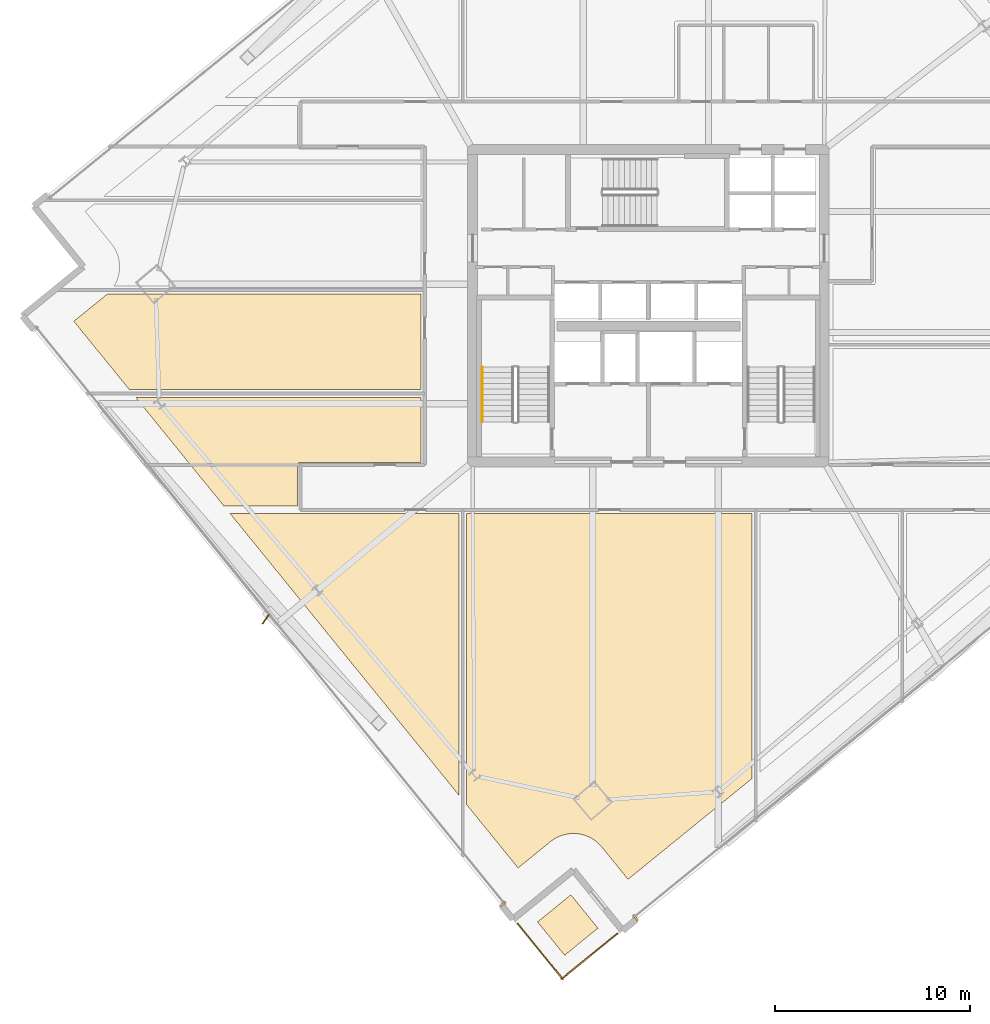
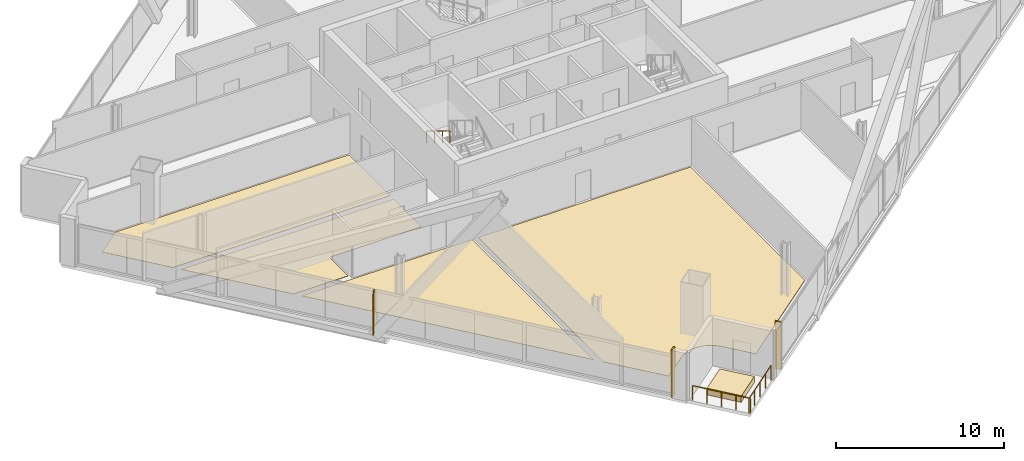
# One storey, part 32 of 36: 7 coverings, 3 railings, 1 shading device.
"""IFC4 building model written with IfcOpenShell, lengths in metres."""

from ifc_helpers import new_model, si_unit, direction, frame, origin, origin_2d, place, context, subcontext, project, spatial, polyline, rectangle, outline, extrude, source, transform, mapped, material, layer, layer_set, type_object, element, save


model = new_model("IFC4")

# Units and contexts
model_context = context("Model", 3, precision=1e-05, world=origin(), true_north=direction((0.0, 1.0)))
body_context = subcontext(model_context, "Body", "Model", "MODEL_VIEW")
ifc_project = project(units=[si_unit("LENGTHUNIT", "METRE"), si_unit("AREAUNIT", "SQUARE_METRE"), si_unit("VOLUMEUNIT", "CUBIC_METRE"), si_unit("PLANEANGLEUNIT", "RADIAN"), si_unit("MASSUNIT", "GRAM", prefix="KILO")], contexts=[model_context])

# Site, building, storey
site_placement = place(None, origin())
site = spatial("IfcSite", under=ifc_project, at=site_placement, CompositionType="ELEMENT")
building_placement = place(site_placement, origin())
building = spatial("IfcBuilding", under=site, at=building_placement, Name="Haldenkirk Collegiate Tower", CompositionType="ELEMENT")
storey_placement = place(building_placement, frame((0.0, 0.0, 159.449951171875)))
storey = spatial("IfcBuildingStorey", under=building, at=storey_placement, Name="L39", CompositionType="ELEMENT", Elevation=159.449951171875)

# Coverings
ifc_material_1 = material(Name="Polished collegiate terrazzo", Category="concrete")
ifc_layer_1 = layer(ifc_material_1, 0.02490234375)
ifc_layer_set_1 = layer_set([ifc_layer_1], Name="Polished collegiate terrazzo")
covering_type_1 = type_object("IfcCoveringType", Name="COV-FLOOR-TERRAZZO", PredefinedType="FLOORING", material=ifc_layer_set_1)
covering_1_placement = place(storey_placement, origin())
element("IfcCovering", 1, at=covering_1_placement, inside=storey, type_object=covering_type_1, Name="L39 academic room finish 02", PredefinedType="FLOORING", context=body_context, shape_type="SweptSolid", body=[
    extrude(outline(polyline([(33.055908203125, -1.249267578125), (33.04541015625, -1.24365234375), (32.890380859375, -1.16943359375), (32.879638671875, -1.164794921875), (32.71826171875, -1.106201171875), (32.70703125, -1.102783203125), (32.54052734375, -1.060302734375), (32.529052734375, -1.05810546875), (32.359375, -1.031982421875), (32.34765625, -1.03076171875), (32.17626953125, -1.021484375), (32.164306640625, -1.021484375), (31.992919921875, -1.029052734375), (31.981201171875, -1.030029296875), (31.81103515625, -1.054443359375), (31.799560546875, -1.056884765625), (31.6328125, -1.09765625), (31.621337890625, -1.10107421875), (31.45947265625, -1.158203125), (31.448486328125, -1.16259765625), (31.29296875, -1.2353515625), (31.28271484375, -1.24072265625), (31.134765625, -1.328369140625), (31.125, -1.3349609375), (30.986572265625, -1.4365234375), (30.98193359375, -1.440185546875), (29.328857421875, -2.783447265625), (26.699951171875, 0.451416015625), (26.699951171875, 15.35009765625), (41.300048828125, 15.35009765625), (41.300048828125, 1.791015625), (34.955810546875, -3.364990234375), (33.612548828125, -1.7119140625), (33.608642578125, -1.70751953125), (33.493896484375, -1.57958984375), (33.485595703125, -1.5712890625), (33.35888671875, -1.455322265625), (33.349853515625, -1.447998046875), (33.21240234375, -1.344970703125), (33.20263671875, -1.33837890625), (33.055908203125, -1.249267578125)])), origin(), (0.0, 0.0, 1.0), 0.025146484375),
])
covering_2_placement = place(storey_placement, origin())
element("IfcCovering", 2, at=covering_2_placement, inside=storey, type_object=covering_type_1, Name="L39 academic room finish 08", PredefinedType="FLOORING", context=body_context, shape_type="SweptSolid", body=[
    extrude(outline(polyline([(8.23974609375, 26.544189453125), (8.244384765625, 26.548095703125), (8.30224609375, 26.60009765625), (24.35009765625, 26.60009765625), (24.35009765625, 21.699951171875), (9.431884765625, 21.699951171875), (6.5869140625, 25.200927734375), (8.23974609375, 26.544189453125)])), origin(), (0.0, 0.0, 1.0), 0.025146484375),
])
ifc_material_2 = material(Name="Engineered collegiate oak acoustic flooring", Category="wood")
ifc_layer_2 = layer(ifc_material_2, 0.02197265625)
ifc_layer_set_2 = layer_set([ifc_layer_2], Name="Engineered collegiate oak acoustic flooring")
covering_type_2 = type_object("IfcCoveringType", Name="COV-FLOOR-TIMBER", PredefinedType="FLOORING", material=ifc_layer_set_2)
covering_3_placement = place(storey_placement, origin())
element("IfcCovering", 3, at=covering_3_placement, inside=storey, type_object=covering_type_2, Name="L39 academic room finish 01", PredefinedType="FLOORING", context=body_context, shape_type="SweptSolid", body=[
    extrude(outline(polyline([(14.59228515625, 15.35009765625), (26.300048828125, 15.35009765625), (26.300048828125, 0.943603515625), (14.59228515625, 15.35009765625)])), origin(), (0.0, 0.0, 1.0), 0.02197265625),
])
covering_4_placement = place(storey_placement, origin())
element("IfcCovering", 4, at=covering_4_placement, inside=storey, type_object=covering_type_2, Name="L39 academic room finish 07", PredefinedType="FLOORING", context=body_context, shape_type="SweptSolid", body=[
    extrude(outline(polyline([(18.14990234375, 17.969970703125), (18.13818359375, 17.969482421875), (18.126708984375, 17.9677734375), (18.115234375, 17.96484375), (18.10400390625, 17.9609375), (18.093505859375, 17.955810546875), (18.083251953125, 17.94970703125), (18.073974609375, 17.94287109375), (18.065185546875, 17.934814453125), (18.05712890625, 17.926025390625), (18.05029296875, 17.916748046875), (18.044189453125, 17.906494140625), (18.0390625, 17.89599609375), (18.03515625, 17.884765625), (18.0322265625, 17.873291015625), (18.030517578125, 17.86181640625), (18.030029296875, 17.85009765625), (18.030029296875, 15.75), (14.267333984375, 15.75), (9.757080078125, 21.300048828125), (24.35009765625, 21.300048828125), (24.35009765625, 17.969970703125), (18.14990234375, 17.969970703125)])), origin(), (0.0, 0.0, 1.0), 0.02197265625),
])
ifc_material_3 = material(Name="Precast concrete f'c 40 MPa", Category="concrete")
ifc_layer_3 = layer(ifc_material_3, 0.449951171875)
ifc_layer_set_3 = layer_set([ifc_layer_3], Name="Precast concrete f'c 40 MPa")
covering_type_3 = type_object("IfcCoveringType", Name="COV-PLANTER-450", PredefinedType="USERDEFINED", material=ifc_layer_set_3)
covering_5_placement = place(storey_placement, origin())
element("IfcCovering", 5, at=covering_5_placement, inside=storey, type_object=covering_type_3, Name="L39 planted garden planter bed", ObjectType="PLANTER", PredefinedType="USERDEFINED", context=body_context, shape_type="SweptSolid", body=[
    extrude(outline(polyline([(31.710693359375, -7.252197265625), (30.3232421875, -5.544921875), (32.030517578125, -4.1572265625), (33.41796875, -5.864501953125), (31.710693359375, -7.252197265625)])), origin(), (0.0, 0.0, 1.0), 0.449951171875),
])

# Railings
ifc_material_4 = material(Name="Painted architectural tubular steel", Category="steel")
railing_type_1 = type_object("IfcRailingType", Name="RLG-STAIR-HANDRAIL-900", PredefinedType="HANDRAIL", material=ifc_material_4)
railing_1_placement = place(storey_placement, frame((27.5, 22.85009765625, 2.04541015625)))
element("IfcRailing", 6, at=railing_1_placement, inside=storey, type_object=railing_type_1, Name="L39 ST-1 stair handrail 2", PredefinedType="HANDRAIL", context=body_context, shape_type="SweptSolid", body=[
    extrude(rectangle(XDim=0.048095703125, YDim=0.048095703125, at=origin_2d()), frame((0.0, 0.0, 0.8759765625), z_axis=(0.0, -0.854169791009, 0.51999420009), x_axis=(1.0, 0.0, 0.0)), (0.0, 0.0, 1.0), 3.278076171875),
    extrude(rectangle(XDim=0.0419921875, YDim=0.0419921875, at=origin_2d()), origin(), (0.0, 0.0, 1.0), 0.851806640625),
    extrude(rectangle(XDim=0.0419921875, YDim=0.0419921875, at=origin_2d()), frame((0.0, -0.933349609375, 0.568115234375)), (0.0, 0.0, 1.0), 0.851806640625),
    extrude(rectangle(XDim=0.0419921875, YDim=0.0419921875, at=origin_2d()), frame((0.0, -1.86669921875, 1.136474609375)), (0.0, 0.0, 1.0), 0.851806640625),
    extrude(rectangle(XDim=0.0419921875, YDim=0.0419921875, at=origin_2d()), frame((0.0, -2.800048828125, 1.70458984375)), (0.0, 0.0, 1.0), 0.851806640625),
])
ifc_material_5 = material(Name="Anodised architectural bronze aluminium", Category="aluminium")
railing_type_2 = type_object("IfcRailingType", Name="RLG-TERR-BALUSTRADE-1100", PredefinedType="BALUSTRADE", material=ifc_material_5)
railing_2_placement = place(storey_placement, frame((31.5419921875, -8.471435546875, 0.0)))
element("IfcRailing", 7, at=railing_2_placement, inside=storey, type_object=railing_type_2, Name="L39 terrace guard balustrade 1-1", PredefinedType="BALUSTRADE", context=body_context, shape_type="SweptSolid", body=[
    extrude(rectangle(XDim=0.048095703125, YDim=0.048095703125, at=origin_2d()), frame((0.0, 0.0, 1.076171875), z_axis=(0.776042966513, 0.630680041008, 0.0), x_axis=(-0.630680041008, 0.776042966513, 0.0)), (0.0, 0.0, 1.0), 3.679931640625),
    extrude(rectangle(XDim=0.0419921875, YDim=0.0419921875, at=origin_2d()), origin(), (0.0, 0.0, 1.0), 1.052001953125),
    extrude(rectangle(XDim=0.0419921875, YDim=0.0419921875, at=origin_2d()), frame((0.7138671875, 0.580078125, 0.0)), (0.0, 0.0, 1.0), 1.052001953125),
    extrude(rectangle(XDim=0.0419921875, YDim=0.0419921875, at=origin_2d()), frame((1.427734375, 1.160400390625, 0.0)), (0.0, 0.0, 1.0), 1.052001953125),
    extrude(rectangle(XDim=0.0419921875, YDim=0.0419921875, at=origin_2d()), frame((2.141845703125, 1.74072265625, 0.0)), (0.0, 0.0, 1.0), 1.052001953125),
    extrude(rectangle(XDim=0.0419921875, YDim=0.0419921875, at=origin_2d()), frame((2.855712890625, 2.32080078125, 0.0)), (0.0, 0.0, 1.0), 1.052001953125),
])
railing_3_placement = place(storey_placement, frame((29.305419921875, -5.62451171875, 0.0)))
element("IfcRailing", 8, at=railing_3_placement, inside=storey, type_object=railing_type_2, Name="L39 terrace guard balustrade 4-1", PredefinedType="BALUSTRADE", context=body_context, shape_type="SweptSolid", body=[
    extrude(rectangle(XDim=0.048095703125, YDim=0.048095703125, at=origin_2d()), frame((0.0, 0.0, 1.076171875), z_axis=(0.630719994575, -0.77601049506, 0.0), x_axis=(0.77601049506, 0.630719994575, 0.0)), (0.0, 0.0, 1.0), 3.679931640625),
    extrude(rectangle(XDim=0.0419921875, YDim=0.0419921875, at=origin_2d()), origin(), (0.0, 0.0, 1.0), 1.052001953125),
    extrude(rectangle(XDim=0.0419921875, YDim=0.0419921875, at=origin_2d()), frame((0.580322265625, -0.7138671875, 0.0)), (0.0, 0.0, 1.0), 1.052001953125),
    extrude(rectangle(XDim=0.0419921875, YDim=0.0419921875, at=origin_2d()), frame((1.16064453125, -1.427734375, 0.0)), (0.0, 0.0, 1.0), 1.052001953125),
    extrude(rectangle(XDim=0.0419921875, YDim=0.0419921875, at=origin_2d()), frame((1.74072265625, -2.141845703125, 0.0)), (0.0, 0.0, 1.0), 1.052001953125),
    extrude(rectangle(XDim=0.0419921875, YDim=0.0419921875, at=origin_2d()), frame((2.321044921875, -2.855712890625, 0.0)), (0.0, 0.0, 1.0), 1.052001953125),
])

# Coverings
ifc_layer_4 = layer(ifc_material_5, 0.06005859375)
ifc_layer_set_4 = layer_set([ifc_layer_4], Name="Anodised architectural bronze aluminium")
covering_type_4 = type_object("IfcCoveringType", Name="COV-CLAD-BRONZE-60", PredefinedType="CLADDING", material=ifc_layer_set_4)
shared_shape_1 = source(origin(), body_context, "Body", "SweptSolid", [
    extrude(rectangle(XDim=0.10009765625, YDim=0.3798828125, at=origin_2d()), origin(), (0.0, 0.0, 1.0), 3.4599609375),
])
for number, where, z_axis, x_axis, name in (
    (9, (35.348876953125, -5.339111328125, 0.0), (0.0, 0.0, 1.0), (-0.776046407067, -0.630675807431, 0.0), "L39 recessed curtain-wall bronze jamb closure SJR"),
    (10, (28.540283203125, -4.635498046875, 0.0), (0.0, 0.0, 1.0), (-0.630675807431, 0.776046407067, 0.0), "L39 recessed curtain-wall bronze jamb closure WJL"),
):
    element("IfcCovering", number, at=place(storey_placement, frame(where, z_axis=z_axis, x_axis=x_axis)), inside=storey, type_object=covering_type_4, Name=name, PredefinedType="CLADDING", context=body_context, shape_type="MappedRepresentation", body=[
        mapped(shared_shape_1, transform((0.0, 0.0, 0.0), x_axis=(1.0, 0.0, 0.0), y_axis=(0.0, 1.0, 0.0), z_axis=(0.0, 0.0, 1.0), scale=1.0)),
    ])

# Shading device
ifc_layer_5 = layer(ifc_material_5, 0.06494140625)
ifc_layer_set_5 = layer_set([ifc_layer_5], Name="Anodised architectural bronze aluminium")
shading_device_type = type_object("IfcShadingDeviceType", Name="SHD-FIN-BRONZE-620", PredefinedType="USERDEFINED", material=ifc_layer_set_5)
shared_shape_2 = source(origin(), body_context, "Body", "SweptSolid", [
    extrude(rectangle(XDim=0.6201171875, YDim=0.06494140625, at=origin_2d()), origin(), (0.0, 0.0, 1.0), 2.910888671875),
])
shading_device_placement = place(storey_placement, frame((16.41748046875, 9.956787109375, 0.0), z_axis=(0.0, 0.0, 1.0), x_axis=(-0.572145873446, -0.820151875874, 0.0)))
element("IfcShadingDevice", 11, at=shading_device_placement, inside=storey, type_object=shading_device_type, Name="L39 folded bronze solar fin 1", ObjectType="FIN", PredefinedType="USERDEFINED", context=body_context, shape_type="MappedRepresentation", body=[
    mapped(shared_shape_2, transform((0.0, 0.0, 0.0), x_axis=(1.0, 0.0, 0.0), y_axis=(0.0, 1.0, 0.0), z_axis=(0.0, 0.0, 1.0), scale=1.0)),
])

save(model, "model.ifc")
